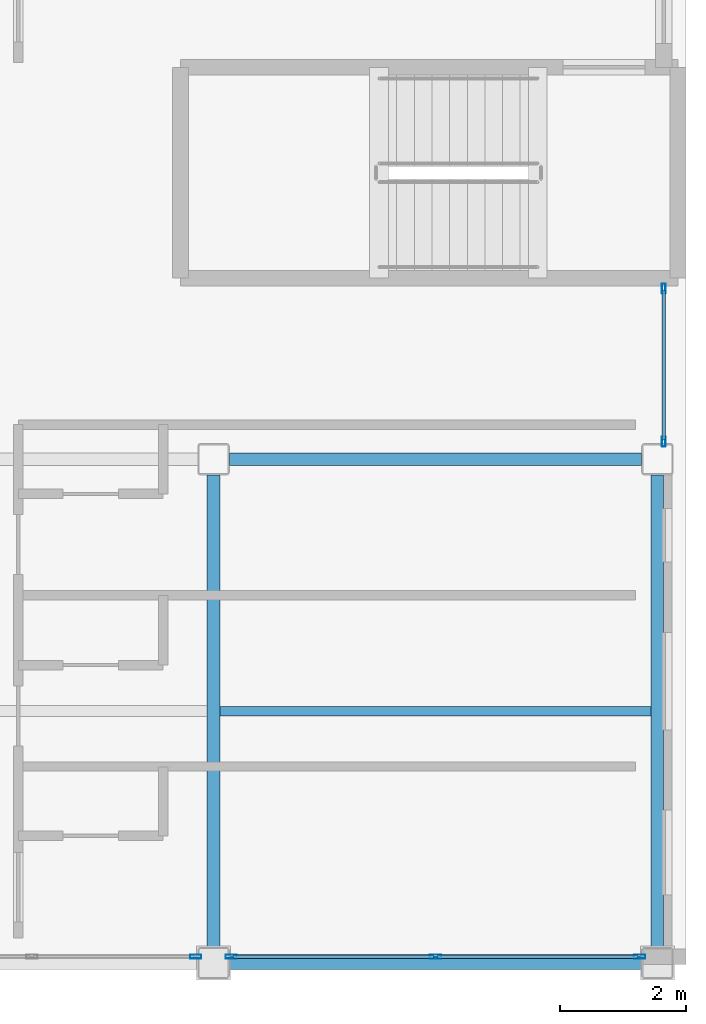
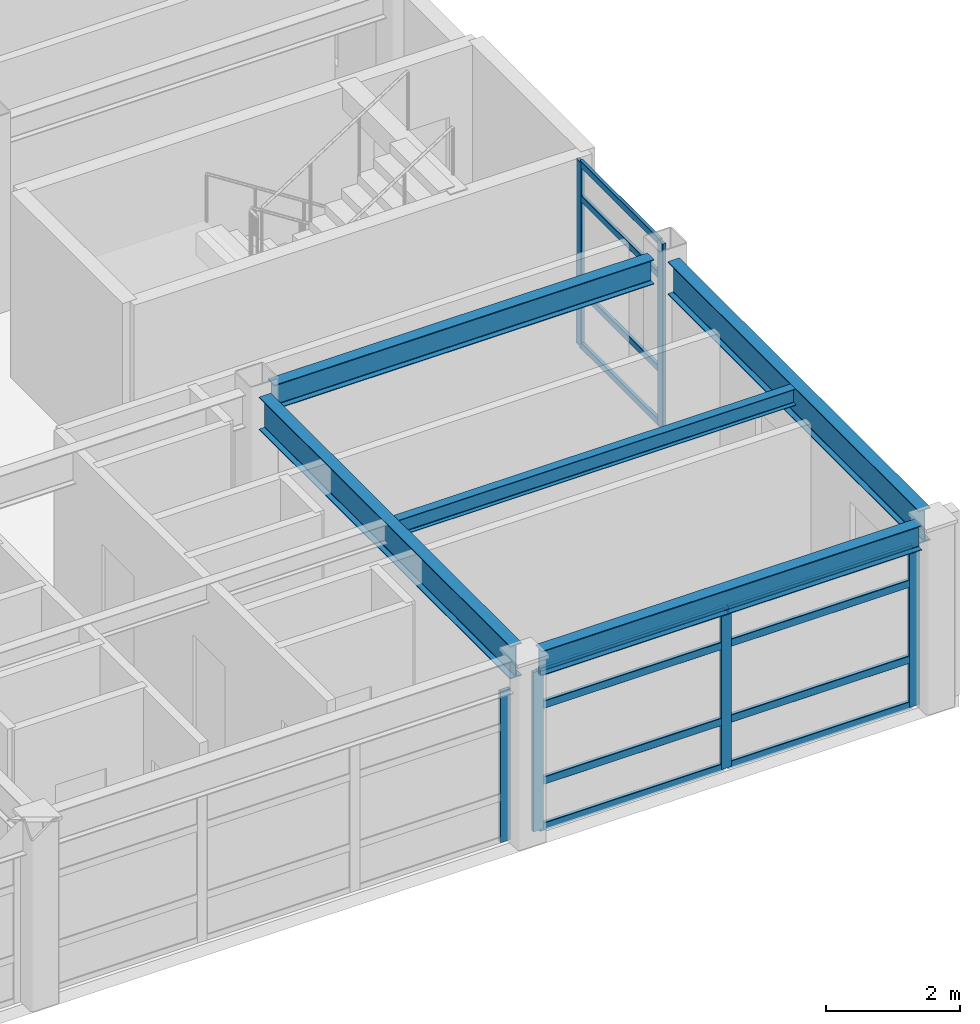
# One storey, part 6 of 33: 18 members, 5 beams, 3 elements without a shape of their own.
"""IFC4 building model written with IfcOpenShell, lengths in metres."""

from ifc_helpers import new_model, si_unit, direction, frame, origin, origin_2d, place, context, subcontext, project, spatial, hollow_rectangle, i_section, extrude, material, layer, layer_set, material_profile, profile_set, type_object, element, aggregate, save


model = new_model("IFC4")

# Units and contexts
model_context = context("Model", 3, precision=1e-05, world=origin(), true_north=direction((0.0, 1.0)))
body_context = subcontext(model_context, "Body", "Model", "MODEL_VIEW")
ifc_project = project(units=[si_unit("LENGTHUNIT", "METRE"), si_unit("AREAUNIT", "SQUARE_METRE"), si_unit("VOLUMEUNIT", "CUBIC_METRE"), si_unit("PLANEANGLEUNIT", "RADIAN"), si_unit("MASSUNIT", "GRAM", prefix="KILO")], contexts=[model_context])

# Site, building, storey
site_placement = place(None, origin())
site = spatial("IfcSite", under=ifc_project, at=site_placement, CompositionType="ELEMENT")
building_placement = place(site_placement, origin())
building = spatial("IfcBuilding", under=site, at=building_placement, Name="Kazehara Bluff Congress Hotel", CompositionType="ELEMENT")
storey_placement = place(building_placement, frame((0.0, 0.0, 39.0)))
storey = spatial("IfcBuildingStorey", under=building, at=storey_placement, Name="L09", CompositionType="ELEMENT", Elevation=39.0)

# Curtain wall, members
ifc_material_1 = material(Name="Anodised aluminium", Category="aluminium")
ifc_layer_1 = layer(ifc_material_1, 0.159912109375)
ifc_layer_set_1 = layer_set([ifc_layer_1], Name="Anodised aluminium")
curtain_wall_type_1 = type_object("IfcCurtainWallType", Name="TP-CW-187", PredefinedType="NOTDEFINED", material=ifc_layer_set_1)
curtain_wall_1_placement = place(storey_placement, origin())
curtain_wall_1 = element("IfcCurtainWall", 1, at=curtain_wall_1_placement, inside=storey, type_object=curtain_wall_type_1, Name="L09 curtain wall CW-187 CW-ENC-V5-L09-16765-1749", PredefinedType="NOTDEFINED")
ifc_material_2 = material(Name="Anodised aluminium", Category="aluminium")
ifc_material_profile_1 = material_profile(ifc_material_2, hollow_rectangle(XDim=0.06005859375, YDim=0.159912109375, WallThickness=0.00390625, InnerFilletRadius=0.00390625, OuterFilletRadius=0.008056640625, at=origin_2d()))
ifc_profile_set_1 = profile_set([ifc_material_profile_1], Name="Anodised aluminium")
member_type_1 = type_object("IfcMemberType", Name="TP-CWM-01", PredefinedType="MULLION", material=ifc_profile_set_1)
member_1_placement = place(storey_placement, frame((167.64990234375, 18.7099609375, 0.0), z_axis=(0.0, 0.0, 1.0), x_axis=(1.0, 0.0, 0.0)))
member_1 = element("IfcMember", 2, at=member_1_placement, type_object=member_type_1, Name="CW-187 mullion 1", PredefinedType="MULLION", context=body_context, shape_type="SweptSolid", body=[
    extrude(hollow_rectangle(XDim=0.06005859375, YDim=0.159912109375, WallThickness=0.00390625, InnerFilletRadius=0.00390625, OuterFilletRadius=0.008056640625, at=origin_2d()), origin(), (0.0, 0.0, 1.0), 3.364990234375),
])
member_2_placement = place(storey_placement, frame((167.64990234375, 16.280029296875, 0.0), z_axis=(0.0, 0.0, 1.0), x_axis=(1.0, 0.0, 0.0)))
member_2 = element("IfcMember", 3, at=member_2_placement, type_object=member_type_1, Name="CW-187 mullion 2", PredefinedType="MULLION", context=body_context, shape_type="SweptSolid", body=[
    extrude(hollow_rectangle(XDim=0.06005859375, YDim=0.159912109375, WallThickness=0.00390625, InnerFilletRadius=0.00390625, OuterFilletRadius=0.008056640625, at=origin_2d()), origin(), (0.0, 0.0, 1.0), 3.364990234375),
])

# Curtain wall, member
ifc_material_3 = material(Name="Anodised aluminium", Category="aluminium")
ifc_layer_2 = layer(ifc_material_3, 0.159912109375)
ifc_layer_set_2 = layer_set([ifc_layer_2], Name="Anodised aluminium")
curtain_wall_type_2 = type_object("IfcCurtainWallType", Name="TP-CW-185", PredefinedType="NOTDEFINED", material=ifc_layer_set_2)
curtain_wall_2_placement = place(storey_placement, origin())
curtain_wall_2 = element("IfcCurtainWall", 4, at=curtain_wall_2_placement, inside=storey, type_object=curtain_wall_type_2, Name="L09 curtain wall CW-185 CW-ENC-V5-L09-15630-810", PredefinedType="NOTDEFINED")
ifc_material_4 = material(Name="Anodised aluminium", Category="aluminium")
ifc_material_profile_2 = material_profile(ifc_material_4, hollow_rectangle(XDim=0.06494140625, YDim=0.179931640625, WallThickness=0.00390625, InnerFilletRadius=0.00390625, OuterFilletRadius=0.008056640625, at=origin_2d()))
ifc_profile_set_2 = profile_set([ifc_material_profile_2], Name="Anodised aluminium")
member_type_2 = type_object("IfcMemberType", Name="TP-CWM-02", PredefinedType="MULLION", material=ifc_profile_set_2)
member_3_placement = place(storey_placement, frame((160.217529296875, 8.10009765625, 0.0), z_axis=(0.0, 0.0, 1.0), x_axis=(0.0, -1.0, 0.0)))
member_3 = element("IfcMember", 5, at=member_3_placement, type_object=member_type_2, Name="CW-185 mullion 1", PredefinedType="MULLION", context=body_context, shape_type="SweptSolid", body=[
    extrude(hollow_rectangle(XDim=0.06494140625, YDim=0.179931640625, WallThickness=0.00390625, InnerFilletRadius=0.00390625, OuterFilletRadius=0.008056640625, at=origin_2d()), origin(), (0.0, 0.0, 1.0), 2.7548828125),
])
aggregate(curtain_wall_2, [member_3])

# Curtain wall, members
ifc_material_5 = material(Name="Anodised aluminium", Category="aluminium")
ifc_layer_3 = layer(ifc_material_5, 0.159912109375)
ifc_layer_set_3 = layer_set([ifc_layer_3], Name="Anodised aluminium")
curtain_wall_type_3 = type_object("IfcCurtainWallType", Name="TP-CW-193", PredefinedType="NOTDEFINED", material=ifc_layer_set_3)
curtain_wall_3_placement = place(storey_placement, origin())
curtain_wall_3 = element("IfcCurtainWall", 6, at=curtain_wall_3_placement, inside=storey, type_object=curtain_wall_type_3, Name="L09 curtain wall CW-193 CW-ENC-V5-L09-16402-810", PredefinedType="NOTDEFINED")
member_4_placement = place(storey_placement, frame((167.267578125, 8.10009765625, 0.0), z_axis=(0.0, 0.0, 1.0), x_axis=(0.0, -1.0, 0.0)))
member_4 = element("IfcMember", 7, at=member_4_placement, type_object=member_type_2, Name="CW-193 mullion 1", PredefinedType="MULLION", context=body_context, shape_type="SweptSolid", body=[
    extrude(hollow_rectangle(XDim=0.06494140625, YDim=0.179931640625, WallThickness=0.00390625, InnerFilletRadius=0.00390625, OuterFilletRadius=0.008056640625, at=origin_2d()), origin(), (0.0, 0.0, 1.0), 2.905029296875),
])
member_5_placement = place(storey_placement, frame((164.02490234375, 8.10009765625, 0.0), z_axis=(0.0, 0.0, 1.0), x_axis=(0.0, -1.0, 0.0)))
member_5 = element("IfcMember", 8, at=member_5_placement, type_object=member_type_2, Name="CW-193 mullion 2", PredefinedType="MULLION", context=body_context, shape_type="SweptSolid", body=[
    extrude(hollow_rectangle(XDim=0.06494140625, YDim=0.179931640625, WallThickness=0.00390625, InnerFilletRadius=0.00390625, OuterFilletRadius=0.008056640625, at=origin_2d()), origin(), (0.0, 0.0, 1.0), 2.905029296875),
])
member_6_placement = place(storey_placement, frame((160.782470703125, 8.10009765625, 0.0), z_axis=(0.0, 0.0, 1.0), x_axis=(0.0, -1.0, 0.0)))
member_6 = element("IfcMember", 9, at=member_6_placement, type_object=member_type_2, Name="CW-193 mullion 3", PredefinedType="MULLION", context=body_context, shape_type="SweptSolid", body=[
    extrude(hollow_rectangle(XDim=0.06494140625, YDim=0.179931640625, WallThickness=0.00390625, InnerFilletRadius=0.00390625, OuterFilletRadius=0.008056640625, at=origin_2d()), origin(), (0.0, 0.0, 1.0), 2.905029296875),
])

# Member
ifc_material_6 = material(Name="Anodised aluminium", Category="aluminium")
ifc_material_profile_3 = material_profile(ifc_material_6, hollow_rectangle(XDim=0.06005859375, YDim=0.1201171875, WallThickness=0.00390625, InnerFilletRadius=0.00390625, OuterFilletRadius=0.008056640625, at=origin_2d()))
ifc_profile_set_3 = profile_set([ifc_material_profile_3], Name="Anodised aluminium")
member_type_3 = type_object("IfcMemberType", Name="TP-CWT-01", PredefinedType="USERDEFINED", material=ifc_profile_set_3)
member_7_placement = place(storey_placement, frame((167.64990234375, 18.679931640625, 0.030029296875), z_axis=(0.0, -1.0, 0.0), x_axis=(1.0, 0.0, 0.0)))
member_7 = element("IfcMember", 10, at=member_7_placement, type_object=member_type_3, Name="CW-187 transom 1.1", ObjectType="TRANSOM", PredefinedType="USERDEFINED", context=body_context, shape_type="SweptSolid", body=[
    extrude(hollow_rectangle(XDim=0.06005859375, YDim=0.1201171875, WallThickness=0.00390625, InnerFilletRadius=0.00390625, OuterFilletRadius=0.008056640625, at=origin_2d()), origin(), (0.0, 0.0, 1.0), 2.369873046875),
])

member_8_placement = place(storey_placement, frame((167.64990234375, 18.679931640625, 1.010009765625), z_axis=(0.0, -1.0, 0.0), x_axis=(1.0, 0.0, 0.0)))
member_8 = element("IfcMember", 11, at=member_8_placement, type_object=member_type_3, Name="CW-187 transom 1.2", ObjectType="TRANSOM", PredefinedType="USERDEFINED", context=body_context, shape_type="SweptSolid", body=[
    extrude(hollow_rectangle(XDim=0.06005859375, YDim=0.1201171875, WallThickness=0.00390625, InnerFilletRadius=0.00390625, OuterFilletRadius=0.008056640625, at=origin_2d()), origin(), (0.0, 0.0, 1.0), 2.369873046875),
])

member_9_placement = place(storey_placement, frame((167.64990234375, 18.679931640625, 2.715087890625), z_axis=(0.0, -1.0, 0.0), x_axis=(1.0, 0.0, 0.0)))
member_9 = element("IfcMember", 12, at=member_9_placement, type_object=member_type_3, Name="CW-187 transom 1.3", ObjectType="TRANSOM", PredefinedType="USERDEFINED", context=body_context, shape_type="SweptSolid", body=[
    extrude(hollow_rectangle(XDim=0.06005859375, YDim=0.1201171875, WallThickness=0.00390625, InnerFilletRadius=0.00390625, OuterFilletRadius=0.008056640625, at=origin_2d()), origin(), (0.0, 0.0, 1.0), 2.369873046875),
])

member_10_placement = place(storey_placement, frame((167.64990234375, 18.679931640625, 3.3349609375), z_axis=(0.0, -1.0, 0.0), x_axis=(1.0, 0.0, 0.0)))
member_10 = element("IfcMember", 13, at=member_10_placement, type_object=member_type_3, Name="CW-187 transom 1.4", ObjectType="TRANSOM", PredefinedType="USERDEFINED", context=body_context, shape_type="SweptSolid", body=[
    extrude(hollow_rectangle(XDim=0.06005859375, YDim=0.1201171875, WallThickness=0.00390625, InnerFilletRadius=0.00390625, OuterFilletRadius=0.008056640625, at=origin_2d()), origin(), (0.0, 0.0, 1.0), 2.369873046875),
])

aggregate(curtain_wall_1, [member_1, member_2, member_7, member_8, member_9, member_10])

ifc_material_7 = material(Name="Anodised aluminium", Category="aluminium")
ifc_material_profile_4 = material_profile(ifc_material_7, hollow_rectangle(XDim=0.06494140625, YDim=0.139892578125, WallThickness=0.00390625, InnerFilletRadius=0.00390625, OuterFilletRadius=0.008056640625, at=origin_2d()))
ifc_profile_set_4 = profile_set([ifc_material_profile_4], Name="Anodised aluminium")
member_type_4 = type_object("IfcMemberType", Name="TP-CWT-02", PredefinedType="USERDEFINED", material=ifc_profile_set_4)
member_11_placement = place(storey_placement, frame((167.235107421875, 8.10009765625, 0.032470703125), z_axis=(-1.0, 0.0, 0.0), x_axis=(0.0, -1.0, 0.0)))
member_11 = element("IfcMember", 14, at=member_11_placement, type_object=member_type_4, Name="CW-193 transom 1.1", ObjectType="TRANSOM", PredefinedType="USERDEFINED", context=body_context, shape_type="SweptSolid", body=[
    extrude(hollow_rectangle(XDim=0.06494140625, YDim=0.139892578125, WallThickness=0.00390625, InnerFilletRadius=0.00390625, OuterFilletRadius=0.008056640625, at=origin_2d()), origin(), (0.0, 0.0, 1.0), 3.177490234375),
])

member_12_placement = place(storey_placement, frame((167.235107421875, 8.10009765625, 0.8701171875), z_axis=(-1.0, 0.0, 0.0), x_axis=(0.0, -1.0, 0.0)))
member_12 = element("IfcMember", 15, at=member_12_placement, type_object=member_type_4, Name="CW-193 transom 1.2", ObjectType="TRANSOM", PredefinedType="USERDEFINED", context=body_context, shape_type="SweptSolid", body=[
    extrude(hollow_rectangle(XDim=0.06494140625, YDim=0.139892578125, WallThickness=0.00390625, InnerFilletRadius=0.00390625, OuterFilletRadius=0.008056640625, at=origin_2d()), origin(), (0.0, 0.0, 1.0), 3.177490234375),
])

member_13_placement = place(storey_placement, frame((167.235107421875, 8.10009765625, 2.2548828125), z_axis=(-1.0, 0.0, 0.0), x_axis=(0.0, -1.0, 0.0)))
member_13 = element("IfcMember", 16, at=member_13_placement, type_object=member_type_4, Name="CW-193 transom 1.3", ObjectType="TRANSOM", PredefinedType="USERDEFINED", context=body_context, shape_type="SweptSolid", body=[
    extrude(hollow_rectangle(XDim=0.06494140625, YDim=0.139892578125, WallThickness=0.00390625, InnerFilletRadius=0.00390625, OuterFilletRadius=0.008056640625, at=origin_2d()), origin(), (0.0, 0.0, 1.0), 3.177490234375),
])

member_14_placement = place(storey_placement, frame((167.235107421875, 8.10009765625, 2.87255859375), z_axis=(-1.0, 0.0, 0.0), x_axis=(0.0, -1.0, 0.0)))
member_14 = element("IfcMember", 17, at=member_14_placement, type_object=member_type_4, Name="CW-193 transom 1.4", ObjectType="TRANSOM", PredefinedType="USERDEFINED", context=body_context, shape_type="SweptSolid", body=[
    extrude(hollow_rectangle(XDim=0.06494140625, YDim=0.139892578125, WallThickness=0.00390625, InnerFilletRadius=0.00390625, OuterFilletRadius=0.008056640625, at=origin_2d()), origin(), (0.0, 0.0, 1.0), 3.177490234375),
])

member_15_placement = place(storey_placement, frame((163.992431640625, 8.10009765625, 0.032470703125), z_axis=(-1.0, 0.0, 0.0), x_axis=(0.0, -1.0, 0.0)))
member_15 = element("IfcMember", 18, at=member_15_placement, type_object=member_type_4, Name="CW-193 transom 2.1", ObjectType="TRANSOM", PredefinedType="USERDEFINED", context=body_context, shape_type="SweptSolid", body=[
    extrude(hollow_rectangle(XDim=0.06494140625, YDim=0.139892578125, WallThickness=0.00390625, InnerFilletRadius=0.00390625, OuterFilletRadius=0.008056640625, at=origin_2d()), origin(), (0.0, 0.0, 1.0), 3.177490234375),
])

member_16_placement = place(storey_placement, frame((163.992431640625, 8.10009765625, 0.8701171875), z_axis=(-1.0, 0.0, 0.0), x_axis=(0.0, -1.0, 0.0)))
member_16 = element("IfcMember", 19, at=member_16_placement, type_object=member_type_4, Name="CW-193 transom 2.2", ObjectType="TRANSOM", PredefinedType="USERDEFINED", context=body_context, shape_type="SweptSolid", body=[
    extrude(hollow_rectangle(XDim=0.06494140625, YDim=0.139892578125, WallThickness=0.00390625, InnerFilletRadius=0.00390625, OuterFilletRadius=0.008056640625, at=origin_2d()), origin(), (0.0, 0.0, 1.0), 3.177490234375),
])

member_17_placement = place(storey_placement, frame((163.992431640625, 8.10009765625, 2.2548828125), z_axis=(-1.0, 0.0, 0.0), x_axis=(0.0, -1.0, 0.0)))
member_17 = element("IfcMember", 20, at=member_17_placement, type_object=member_type_4, Name="CW-193 transom 2.3", ObjectType="TRANSOM", PredefinedType="USERDEFINED", context=body_context, shape_type="SweptSolid", body=[
    extrude(hollow_rectangle(XDim=0.06494140625, YDim=0.139892578125, WallThickness=0.00390625, InnerFilletRadius=0.00390625, OuterFilletRadius=0.008056640625, at=origin_2d()), origin(), (0.0, 0.0, 1.0), 3.177490234375),
])

member_18_placement = place(storey_placement, frame((163.992431640625, 8.10009765625, 2.87255859375), z_axis=(-1.0, 0.0, 0.0), x_axis=(0.0, -1.0, 0.0)))
member_18 = element("IfcMember", 21, at=member_18_placement, type_object=member_type_4, Name="CW-193 transom 2.4", ObjectType="TRANSOM", PredefinedType="USERDEFINED", context=body_context, shape_type="SweptSolid", body=[
    extrude(hollow_rectangle(XDim=0.06494140625, YDim=0.139892578125, WallThickness=0.00390625, InnerFilletRadius=0.00390625, OuterFilletRadius=0.008056640625, at=origin_2d()), origin(), (0.0, 0.0, 1.0), 3.177490234375),
])

aggregate(curtain_wall_3, [member_4, member_5, member_6, member_11, member_12, member_13, member_14, member_15, member_16, member_17, member_18])

# Beams
ifc_material_8 = material(Name="Steel SN490B", Category="steel")
ifc_material_profile_5 = material_profile(ifc_material_8, i_section(OverallWidth=0.199951171875, OverallDepth=0.60009765625, WebThickness=0.010986328125, FlangeThickness=0.01708984375, FilletRadius=0.012939453125, at=origin_2d()))
ifc_profile_set_5 = profile_set([ifc_material_profile_5], Name="Steel SN490B")
beam_type_1 = type_object("IfcBeamType", Name="TP-G-02", PredefinedType="BEAM", material=ifc_profile_set_5)
for number, where, z_axis, x_axis, name in (
    (22, (160.5, 8.25, 3.080078125), (0.0, 1.0, 0.0), (-1.0, 0.0, 0.0), "L09 girder G-02 20"),
    (23, (167.550048828125, 8.25, 3.080078125), (0.0, 1.0, 0.0), (-1.0, 0.0, 0.0), "L09 girder G-02 28"),
):
    element("IfcBeam", number, at=place(storey_placement, frame(where, z_axis=z_axis, x_axis=x_axis)), inside=storey, type_object=beam_type_1, Name=name, PredefinedType="BEAM", context=body_context, shape_type="SweptSolid", body=[
        extrude(i_section(OverallWidth=0.199951171875, OverallDepth=0.60009765625, WebThickness=0.010986328125, FlangeThickness=0.01708984375, FilletRadius=0.012939453125, at=origin_2d()), origin(), (0.0, 0.0, 1.0), 7.5),
    ])
ifc_material_9 = material(Name="Steel SN490B", Category="steel")
ifc_material_profile_6 = material_profile(ifc_material_9, i_section(OverallWidth=0.199951171875, OverallDepth=0.449951171875, WebThickness=0.009033203125, FlangeThickness=0.013916015625, FilletRadius=0.012939453125, at=origin_2d()))
ifc_profile_set_6 = profile_set([ifc_material_profile_6], Name="Steel SN490B")
beam_type_2 = type_object("IfcBeamType", Name="TP-G-11", PredefinedType="BEAM", material=ifc_profile_set_6)
for number, where, z_axis, x_axis, name in (
    (24, (160.75, 8.0, 3.155029296875), (1.0, 0.0, 0.0), (0.0, 1.0, 0.0), "L09 girder G-11 38"),
    (25, (160.75, 16.0, 3.155029296875), (1.0, 0.0, 0.0), (0.0, 1.0, 0.0), "L09 girder G-11 41"),
):
    element("IfcBeam", number, at=place(storey_placement, frame(where, z_axis=z_axis, x_axis=x_axis)), inside=storey, type_object=beam_type_2, Name=name, PredefinedType="BEAM", context=body_context, shape_type="SweptSolid", body=[
        extrude(i_section(OverallWidth=0.199951171875, OverallDepth=0.449951171875, WebThickness=0.009033203125, FlangeThickness=0.013916015625, FilletRadius=0.012939453125, at=origin_2d()), origin(), (0.0, 0.0, 1.0), 6.550048828125),
    ])
ifc_material_10 = material(Name="Steel SN400B", Category="steel")
ifc_material_profile_7 = material_profile(ifc_material_10, i_section(OverallWidth=0.14990234375, OverallDepth=0.300048828125, WebThickness=0.006591796875, FlangeThickness=0.009033203125, FilletRadius=0.012939453125, at=origin_2d()))
ifc_profile_set_7 = profile_set([ifc_material_profile_7], Name="Steel SN400B")
beam_type_3 = type_object("IfcBeamType", Name="TP-J-01", PredefinedType="JOIST", material=ifc_profile_set_7)
beam_placement = place(storey_placement, frame((160.60009765625, 12.0, 3.22998046875), z_axis=(1.0, 0.0, 0.0), x_axis=(0.0, 1.0, 0.0)))
element("IfcBeam", 26, at=beam_placement, inside=storey, type_object=beam_type_3, Name="L09 secondary joist J-01 13", PredefinedType="JOIST", context=body_context, shape_type="SweptSolid", body=[
    extrude(i_section(OverallWidth=0.14990234375, OverallDepth=0.300048828125, WebThickness=0.006591796875, FlangeThickness=0.009033203125, FilletRadius=0.012939453125, at=origin_2d()), origin(), (0.0, 0.0, 1.0), 6.849853515625),
])

save(model, "model.ifc")
